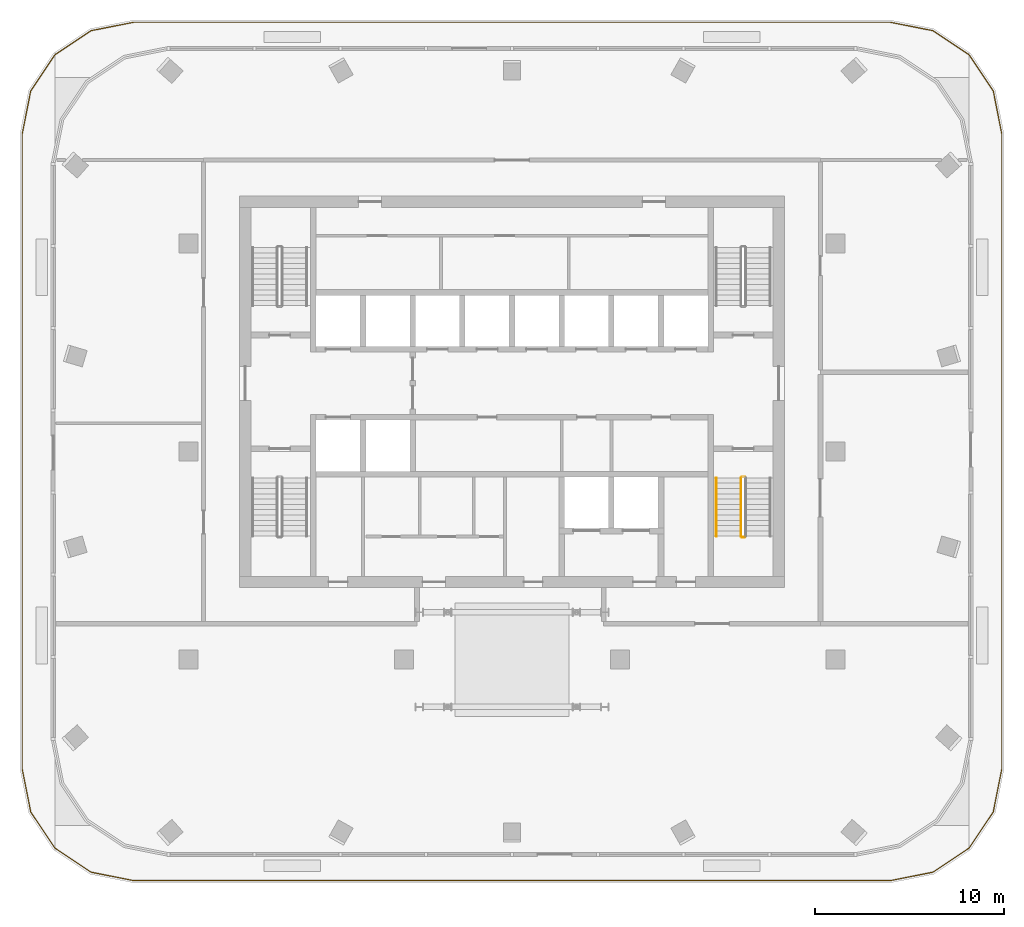
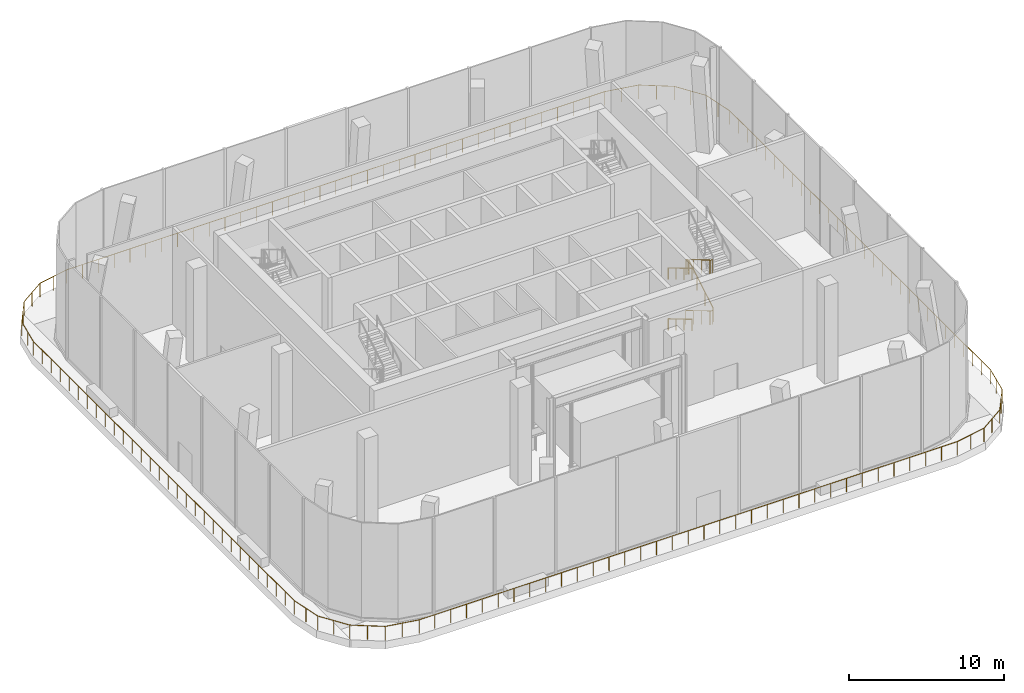
# One storey, part 11 of 13: 6 railings.
"""IFC4 building model written with IfcOpenShell, lengths in metres."""

from ifc_helpers import new_model, si_unit, direction, frame, origin, origin_2d, place, context, subcontext, project, spatial, circle, extrude, material, type_object, element, save


model = new_model("IFC4")

# Units and contexts
model_context = context("Model", 3, precision=1e-05, world=origin(), true_north=direction((0.0, 1.0)))
body_context = subcontext(model_context, "Body", "Model", "MODEL_VIEW")
ifc_project = project(units=[si_unit("LENGTHUNIT", "METRE"), si_unit("AREAUNIT", "SQUARE_METRE"), si_unit("VOLUMEUNIT", "CUBIC_METRE"), si_unit("PLANEANGLEUNIT", "RADIAN"), si_unit("MASSUNIT", "GRAM", prefix="KILO")], contexts=[model_context])

# Site, building, storey
site_placement = place(None, origin())
site = spatial("IfcSite", under=ifc_project, at=site_placement, CompositionType="ELEMENT")
building_placement = place(site_placement, origin())
building = spatial("IfcBuilding", under=site, at=building_placement, Name="Mopane Tessera Tower", CompositionType="ELEMENT")
storey_placement = place(building_placement, frame((0.0, 0.0, 337.39990234375)))
storey = spatial("IfcBuildingStorey", under=building, at=storey_placement, Name="L74", CompositionType="ELEMENT", Elevation=337.39990234375)

# Railings
ifc_material_1 = material(Name="Powder-coated steel balustrade", Category="steel")
railing_type_1 = type_object("IfcRailingType", Name="Escape stair guard 1100 mm", PredefinedType="GUARDRAIL", material=ifc_material_1)
railing_1_placement = place(storey_placement, frame((12.10009765625, -1.39990234375, 0.166748046875)))
element("IfcRailing", 1, at=railing_1_placement, inside=storey, type_object=railing_type_1, Name="L74 ST3 stair guard 1", PredefinedType="GUARDRAIL", context=body_context, shape_type="SweptSolid", body=[
    extrude(circle(Radius=0.02392578125, at=origin_2d()), frame((0.0, 0.0, 1.076171875), z_axis=(0.0, -0.859308565015, 0.511457515432), x_axis=(1.0, 0.0, 0.0)), (0.0, 0.0, 1.0), 3.58447265625),
    extrude(circle(Radius=0.02392578125, at=origin_2d()), frame((0.0, -3.080078125, 2.9091796875), z_axis=(0.705375805398, -0.708833529934, 0.0), x_axis=(0.708833529934, 0.705375805398, 0.0)), (0.0, 0.0, 1.0), 0.070556640625),
    extrude(circle(Radius=0.02392578125, at=origin_2d()), frame((0.0498046875, -3.130126953125, 2.9091796875), z_axis=(1.0, 0.0, 0.0), x_axis=(0.0, 1.0, 0.0)), (0.0, 0.0, 1.0), 0.150146484375),
    extrude(circle(Radius=0.02099609375, at=origin_2d()), origin(), (0.0, 0.0, 1.0), 1.052001953125),
    extrude(circle(Radius=0.02099609375, at=origin_2d()), frame((0.0, -1.026611328125, 0.611083984375)), (0.0, 0.0, 1.0), 1.052001953125),
    extrude(circle(Radius=0.02099609375, at=origin_2d()), frame((0.0, -2.053466796875, 1.22216796875)), (0.0, 0.0, 1.0), 1.052001953125),
    extrude(circle(Radius=0.02099609375, at=origin_2d()), frame((0.0, -3.080078125, 1.833251953125)), (0.0, 0.0, 1.0), 1.052001953125),
    extrude(circle(Radius=0.02099609375, at=origin_2d()), frame((0.0498046875, -3.130126953125, 1.833251953125)), (0.0, 0.0, 1.0), 1.052001953125),
    extrude(circle(Radius=0.02099609375, at=origin_2d()), frame((0.199951171875, -3.130126953125, 1.833251953125)), (0.0, 0.0, 1.0), 1.052001953125),
])
railing_2_placement = place(storey_placement, frame((12.35009765625, -4.47998046875, 2.166748046875)))
element("IfcRailing", 2, at=railing_2_placement, inside=storey, type_object=railing_type_1, Name="L74 ST3 stair guard 2", PredefinedType="GUARDRAIL", context=body_context, shape_type="SweptSolid", body=[
    extrude(circle(Radius=0.02392578125, at=origin_2d()), frame((0.0, 0.0, 1.076171875), z_axis=(0.0, 0.859308565015, 0.511457515432), x_axis=(-1.0, 0.0, 0.0)), (0.0, 0.0, 1.0), 3.58447265625),
    extrude(circle(Radius=0.02392578125, at=origin_2d()), frame((0.0, 3.080078125, 2.9091796875), z_axis=(-0.708833529934, 0.705375805398, 0.0), x_axis=(-0.705375805398, -0.708833529934, 0.0)), (0.0, 0.0, 1.0), 0.070556640625),
    extrude(circle(Radius=0.02392578125, at=origin_2d()), frame((-0.050048828125, 3.1298828125, 2.9091796875), z_axis=(-1.0, 0.0, 0.0), x_axis=(0.0, -1.0, 0.0)), (0.0, 0.0, 1.0), 0.150146484375),
    extrude(circle(Radius=0.02099609375, at=origin_2d()), origin(), (0.0, 0.0, 1.0), 1.052001953125),
    extrude(circle(Radius=0.02099609375, at=origin_2d()), frame((0.0, 1.026611328125, 0.611083984375)), (0.0, 0.0, 1.0), 1.052001953125),
    extrude(circle(Radius=0.02099609375, at=origin_2d()), frame((0.0, 2.053466796875, 1.22216796875)), (0.0, 0.0, 1.0), 1.052001953125),
    extrude(circle(Radius=0.02099609375, at=origin_2d()), frame((0.0, 3.080078125, 1.833251953125)), (0.0, 0.0, 1.0), 1.052001953125),
    extrude(circle(Radius=0.02099609375, at=origin_2d()), frame((-0.050048828125, 3.1298828125, 1.833251953125)), (0.0, 0.0, 1.0), 1.052001953125),
    extrude(circle(Radius=0.02099609375, at=origin_2d()), frame((-0.2001953125, 3.1298828125, 1.833251953125)), (0.0, 0.0, 1.0), 1.052001953125),
])
railing_3_placement = place(storey_placement, frame((12.10009765625, -1.39990234375, 4.166748046875)))
element("IfcRailing", 3, at=railing_3_placement, inside=storey, type_object=railing_type_1, Name="L74 ST3 stair guard 3", PredefinedType="GUARDRAIL", context=body_context, shape_type="SweptSolid", body=[
    extrude(circle(Radius=0.02392578125, at=origin_2d()), frame((0.0, 0.0, 1.076171875), z_axis=(0.0, -0.859308565015, 0.511457515432), x_axis=(1.0, 0.0, 0.0)), (0.0, 0.0, 1.0), 3.58447265625),
    extrude(circle(Radius=0.02392578125, at=origin_2d()), frame((0.0, -3.080078125, 2.9091796875), z_axis=(0.705375805398, -0.708833529934, 0.0), x_axis=(0.708833529934, 0.705375805398, 0.0)), (0.0, 0.0, 1.0), 0.070556640625),
    extrude(circle(Radius=0.02392578125, at=origin_2d()), frame((0.0498046875, -3.130126953125, 2.9091796875), z_axis=(1.0, 0.0, 0.0), x_axis=(0.0, 1.0, 0.0)), (0.0, 0.0, 1.0), 0.150146484375),
    extrude(circle(Radius=0.02099609375, at=origin_2d()), origin(), (0.0, 0.0, 1.0), 1.052001953125),
    extrude(circle(Radius=0.02099609375, at=origin_2d()), frame((0.0, -1.026611328125, 0.611083984375)), (0.0, 0.0, 1.0), 1.052001953125),
    extrude(circle(Radius=0.02099609375, at=origin_2d()), frame((0.0, -2.053466796875, 1.22216796875)), (0.0, 0.0, 1.0), 1.052001953125),
    extrude(circle(Radius=0.02099609375, at=origin_2d()), frame((0.0, -3.080078125, 1.833251953125)), (0.0, 0.0, 1.0), 1.052001953125),
    extrude(circle(Radius=0.02099609375, at=origin_2d()), frame((0.0498046875, -3.130126953125, 1.833251953125)), (0.0, 0.0, 1.0), 1.052001953125),
    extrude(circle(Radius=0.02099609375, at=origin_2d()), frame((0.199951171875, -3.130126953125, 1.833251953125)), (0.0, 0.0, 1.0), 1.052001953125),
])
ifc_material_2 = material(Name="Powder-coated steel balustrade", Category="steel")
railing_type_2 = type_object("IfcRailingType", Name="Escape stair handrail 900 mm", PredefinedType="HANDRAIL", material=ifc_material_2)
for number, where, name in (
    (4, (10.800048828125, -1.39990234375, 0.166748046875), "L74 ST3 stair handrail 1"),
    (5, (10.800048828125, -1.39990234375, 4.166748046875), "L74 ST3 stair handrail 3"),
):
    element("IfcRailing", number, at=place(storey_placement, frame(where)), inside=storey, type_object=railing_type_2, Name=name, PredefinedType="HANDRAIL", context=body_context, shape_type="SweptSolid", body=[
        extrude(circle(Radius=0.02392578125, at=origin_2d()), frame((0.0, 0.0, 0.8759765625), z_axis=(0.0, -0.859308565015, 0.511457515432), x_axis=(1.0, 0.0, 0.0)), (0.0, 0.0, 1.0), 3.58447265625),
        extrude(circle(Radius=0.02099609375, at=origin_2d()), origin(), (0.0, 0.0, 1.0), 0.851806640625),
        extrude(circle(Radius=0.02099609375, at=origin_2d()), frame((0.0, -1.026611328125, 0.611083984375)), (0.0, 0.0, 1.0), 0.851806640625),
        extrude(circle(Radius=0.02099609375, at=origin_2d()), frame((0.0, -2.053466796875, 1.22216796875)), (0.0, 0.0, 1.0), 0.851806640625),
        extrude(circle(Radius=0.02099609375, at=origin_2d()), frame((0.0, -3.080078125, 1.833251953125)), (0.0, 0.0, 1.0), 0.851806640625),
    ])
ifc_material_3 = material(Name="Stainless steel S316", Category="steel")
railing_type_3 = type_object("IfcRailingType", Name="Terrace guard 1100", PredefinedType="GUARDRAIL", material=ifc_material_3)
railing_4_placement = place(storey_placement, frame((-20.0, -22.679931640625, 0.0)))
element("IfcRailing", 6, at=railing_4_placement, inside=storey, type_object=railing_type_3, Name="e:sg:L74", PredefinedType="GUARDRAIL", context=body_context, shape_type="SweptSolid", body=[
    extrude(circle(Radius=0.02392578125, at=origin_2d()), frame((0.0, 0.0, 1.076171875), z_axis=(1.0, 0.0, 0.0), x_axis=(0.0, 1.0, 0.0)), (0.0, 0.0, 1.0), 40.0),
    extrude(circle(Radius=0.02392578125, at=origin_2d()), frame((40.0, 0.0, 1.076171875), z_axis=(0.980792920903, 0.195051906696, 0.0), x_axis=(-0.195051906696, 0.980792920903, 0.0)), (0.0, 0.0, 1.0), 2.294189453125),
    extrude(circle(Radius=0.02392578125, at=origin_2d()), frame((42.250244140625, 0.447509765625, 1.076171875), z_axis=(0.831444034045, 0.555608511679, 0.0), x_axis=(-0.555608511679, 0.831444034045, 0.0)), (0.0, 0.0, 1.0), 2.294189453125),
    extrude(circle(Radius=0.02392578125, at=origin_2d()), frame((44.15771484375, 1.72216796875, 1.076171875), z_axis=(0.555608511679, 0.831444034045, 0.0), x_axis=(-0.831444034045, 0.555608511679, 0.0)), (0.0, 0.0, 1.0), 2.294189453125),
    extrude(circle(Radius=0.02392578125, at=origin_2d()), frame((45.432373046875, 3.629638671875, 1.076171875), z_axis=(0.195051906696, 0.980792920903, 0.0), x_axis=(-0.980792920903, 0.195051906696, 0.0)), (0.0, 0.0, 1.0), 2.294189453125),
    extrude(circle(Radius=0.02392578125, at=origin_2d()), frame((45.8798828125, 5.8798828125, 1.076171875), z_axis=(0.0, 1.0, 0.0), x_axis=(-1.0, 0.0, 0.0)), (0.0, 0.0, 1.0), 33.60009765625),
    extrude(circle(Radius=0.02392578125, at=origin_2d()), frame((45.8798828125, 39.47998046875, 1.076171875), z_axis=(-0.195051906696, 0.980792920903, 0.0), x_axis=(-0.980792920903, -0.195051906696, 0.0)), (0.0, 0.0, 1.0), 2.294189453125),
    extrude(circle(Radius=0.02392578125, at=origin_2d()), frame((45.432373046875, 41.730224609375, 1.076171875), z_axis=(-0.555608511679, 0.831444034045, 0.0), x_axis=(-0.831444034045, -0.555608511679, 0.0)), (0.0, 0.0, 1.0), 2.294189453125),
    extrude(circle(Radius=0.02392578125, at=origin_2d()), frame((44.15771484375, 43.6376953125, 1.076171875), z_axis=(-0.831444034045, 0.555608511679, 0.0), x_axis=(-0.555608511679, -0.831444034045, 0.0)), (0.0, 0.0, 1.0), 2.294189453125),
    extrude(circle(Radius=0.02392578125, at=origin_2d()), frame((42.250244140625, 44.912353515625, 1.076171875), z_axis=(-0.980792920903, 0.195051906696, 0.0), x_axis=(-0.195051906696, -0.980792920903, 0.0)), (0.0, 0.0, 1.0), 2.294189453125),
    extrude(circle(Radius=0.02392578125, at=origin_2d()), frame((40.0, 45.35986328125, 1.076171875), z_axis=(-1.0, 0.0, 0.0), x_axis=(0.0, -1.0, 0.0)), (0.0, 0.0, 1.0), 40.0),
    extrude(circle(Radius=0.02392578125, at=origin_2d()), frame((0.0, 45.35986328125, 1.076171875), z_axis=(-0.980792920903, -0.195051906696, 0.0), x_axis=(0.195051906696, -0.980792920903, 0.0)), (0.0, 0.0, 1.0), 2.294189453125),
    extrude(circle(Radius=0.02392578125, at=origin_2d()), frame((-2.250244140625, 44.912353515625, 1.076171875), z_axis=(-0.831444034045, -0.555608511679, 0.0), x_axis=(0.555608511679, -0.831444034045, 0.0)), (0.0, 0.0, 1.0), 2.294189453125),
    extrude(circle(Radius=0.02392578125, at=origin_2d()), frame((-4.15771484375, 43.6376953125, 1.076171875), z_axis=(-0.555608511679, -0.831444034045, 0.0), x_axis=(0.831444034045, -0.555608511679, 0.0)), (0.0, 0.0, 1.0), 2.294189453125),
    extrude(circle(Radius=0.02392578125, at=origin_2d()), frame((-5.432373046875, 41.730224609375, 1.076171875), z_axis=(-0.195051906696, -0.980792920903, 0.0), x_axis=(0.980792920903, -0.195051906696, 0.0)), (0.0, 0.0, 1.0), 2.294189453125),
    extrude(circle(Radius=0.02392578125, at=origin_2d()), frame((-5.8798828125, 39.47998046875, 1.076171875), z_axis=(0.0, -1.0, 0.0), x_axis=(1.0, 0.0, 0.0)), (0.0, 0.0, 1.0), 33.60009765625),
    extrude(circle(Radius=0.02392578125, at=origin_2d()), frame((-5.8798828125, 5.8798828125, 1.076171875), z_axis=(0.195051906696, -0.980792920903, 0.0), x_axis=(0.980792920903, 0.195051906696, 0.0)), (0.0, 0.0, 1.0), 2.294189453125),
    extrude(circle(Radius=0.02392578125, at=origin_2d()), frame((-5.432373046875, 3.629638671875, 1.076171875), z_axis=(0.555608511679, -0.831444034045, 0.0), x_axis=(0.831444034045, 0.555608511679, 0.0)), (0.0, 0.0, 1.0), 2.294189453125),
    extrude(circle(Radius=0.02392578125, at=origin_2d()), frame((-4.15771484375, 1.72216796875, 1.076171875), z_axis=(0.831444034045, -0.555608511679, 0.0), x_axis=(0.555608511679, 0.831444034045, 0.0)), (0.0, 0.0, 1.0), 2.294189453125),
    extrude(circle(Radius=0.02392578125, at=origin_2d()), frame((-2.250244140625, 0.447509765625, 1.076171875), z_axis=(0.980792920903, -0.195051906696, 0.0), x_axis=(0.195051906696, 0.980792920903, 0.0)), (0.0, 0.0, 1.0), 2.294189453125),
    extrude(circle(Radius=0.02099609375, at=origin_2d()), origin(), (0.0, 0.0, 1.0), 1.052001953125),
    extrude(circle(Radius=0.02099609375, at=origin_2d()), frame((1.176513671875, 0.0, 0.0)), (0.0, 0.0, 1.0), 1.052001953125),
    extrude(circle(Radius=0.02099609375, at=origin_2d()), frame((2.35302734375, 0.0, 0.0)), (0.0, 0.0, 1.0), 1.052001953125),
    extrude(circle(Radius=0.02099609375, at=origin_2d()), frame((3.529296875, 0.0, 0.0)), (0.0, 0.0, 1.0), 1.052001953125),
    extrude(circle(Radius=0.02099609375, at=origin_2d()), frame((4.705810546875, 0.0, 0.0)), (0.0, 0.0, 1.0), 1.052001953125),
    extrude(circle(Radius=0.02099609375, at=origin_2d()), frame((5.88232421875, 0.0, 0.0)), (0.0, 0.0, 1.0), 1.052001953125),
    extrude(circle(Radius=0.02099609375, at=origin_2d()), frame((7.058837890625, 0.0, 0.0)), (0.0, 0.0, 1.0), 1.052001953125),
    extrude(circle(Radius=0.02099609375, at=origin_2d()), frame((8.2353515625, 0.0, 0.0)), (0.0, 0.0, 1.0), 1.052001953125),
    extrude(circle(Radius=0.02099609375, at=origin_2d()), frame((9.411865234375, 0.0, 0.0)), (0.0, 0.0, 1.0), 1.052001953125),
    extrude(circle(Radius=0.02099609375, at=origin_2d()), frame((10.588134765625, 0.0, 0.0)), (0.0, 0.0, 1.0), 1.052001953125),
    extrude(circle(Radius=0.02099609375, at=origin_2d()), frame((11.7646484375, 0.0, 0.0)), (0.0, 0.0, 1.0), 1.052001953125),
    extrude(circle(Radius=0.02099609375, at=origin_2d()), frame((12.941162109375, 0.0, 0.0)), (0.0, 0.0, 1.0), 1.052001953125),
    extrude(circle(Radius=0.02099609375, at=origin_2d()), frame((14.11767578125, 0.0, 0.0)), (0.0, 0.0, 1.0), 1.052001953125),
    extrude(circle(Radius=0.02099609375, at=origin_2d()), frame((15.294189453125, 0.0, 0.0)), (0.0, 0.0, 1.0), 1.052001953125),
    extrude(circle(Radius=0.02099609375, at=origin_2d()), frame((16.470703125, 0.0, 0.0)), (0.0, 0.0, 1.0), 1.052001953125),
    extrude(circle(Radius=0.02099609375, at=origin_2d()), frame((17.64697265625, 0.0, 0.0)), (0.0, 0.0, 1.0), 1.052001953125),
    extrude(circle(Radius=0.02099609375, at=origin_2d()), frame((18.823486328125, 0.0, 0.0)), (0.0, 0.0, 1.0), 1.052001953125),
    extrude(circle(Radius=0.02099609375, at=origin_2d()), frame((20.0, 0.0, 0.0)), (0.0, 0.0, 1.0), 1.052001953125),
    extrude(circle(Radius=0.02099609375, at=origin_2d()), frame((21.176513671875, 0.0, 0.0)), (0.0, 0.0, 1.0), 1.052001953125),
    extrude(circle(Radius=0.02099609375, at=origin_2d()), frame((22.35302734375, 0.0, 0.0)), (0.0, 0.0, 1.0), 1.052001953125),
    extrude(circle(Radius=0.02099609375, at=origin_2d()), frame((23.529296875, 0.0, 0.0)), (0.0, 0.0, 1.0), 1.052001953125),
    extrude(circle(Radius=0.02099609375, at=origin_2d()), frame((24.705810546875, 0.0, 0.0)), (0.0, 0.0, 1.0), 1.052001953125),
    extrude(circle(Radius=0.02099609375, at=origin_2d()), frame((25.88232421875, 0.0, 0.0)), (0.0, 0.0, 1.0), 1.052001953125),
    extrude(circle(Radius=0.02099609375, at=origin_2d()), frame((27.058837890625, 0.0, 0.0)), (0.0, 0.0, 1.0), 1.052001953125),
    extrude(circle(Radius=0.02099609375, at=origin_2d()), frame((28.2353515625, 0.0, 0.0)), (0.0, 0.0, 1.0), 1.052001953125),
    extrude(circle(Radius=0.02099609375, at=origin_2d()), frame((29.411865234375, 0.0, 0.0)), (0.0, 0.0, 1.0), 1.052001953125),
    extrude(circle(Radius=0.02099609375, at=origin_2d()), frame((30.588134765625, 0.0, 0.0)), (0.0, 0.0, 1.0), 1.052001953125),
    extrude(circle(Radius=0.02099609375, at=origin_2d()), frame((31.7646484375, 0.0, 0.0)), (0.0, 0.0, 1.0), 1.052001953125),
    extrude(circle(Radius=0.02099609375, at=origin_2d()), frame((32.941162109375, 0.0, 0.0)), (0.0, 0.0, 1.0), 1.052001953125),
    extrude(circle(Radius=0.02099609375, at=origin_2d()), frame((34.11767578125, 0.0, 0.0)), (0.0, 0.0, 1.0), 1.052001953125),
    extrude(circle(Radius=0.02099609375, at=origin_2d()), frame((35.294189453125, 0.0, 0.0)), (0.0, 0.0, 1.0), 1.052001953125),
    extrude(circle(Radius=0.02099609375, at=origin_2d()), frame((36.470703125, 0.0, 0.0)), (0.0, 0.0, 1.0), 1.052001953125),
    extrude(circle(Radius=0.02099609375, at=origin_2d()), frame((37.64697265625, 0.0, 0.0)), (0.0, 0.0, 1.0), 1.052001953125),
    extrude(circle(Radius=0.02099609375, at=origin_2d()), frame((38.823486328125, 0.0, 0.0)), (0.0, 0.0, 1.0), 1.052001953125),
    extrude(circle(Radius=0.02099609375, at=origin_2d()), frame((40.0, 0.0, 0.0)), (0.0, 0.0, 1.0), 1.052001953125),
    extrude(circle(Radius=0.02099609375, at=origin_2d()), frame((41.125, 0.2236328125, 0.0)), (0.0, 0.0, 1.0), 1.052001953125),
    extrude(circle(Radius=0.02099609375, at=origin_2d()), frame((42.250244140625, 0.447509765625, 0.0)), (0.0, 0.0, 1.0), 1.052001953125),
    extrude(circle(Radius=0.02099609375, at=origin_2d()), frame((43.2041015625, 1.0849609375, 0.0)), (0.0, 0.0, 1.0), 1.052001953125),
    extrude(circle(Radius=0.02099609375, at=origin_2d()), frame((44.15771484375, 1.72216796875, 0.0)), (0.0, 0.0, 1.0), 1.052001953125),
    extrude(circle(Radius=0.02099609375, at=origin_2d()), frame((44.794921875, 2.67578125, 0.0)), (0.0, 0.0, 1.0), 1.052001953125),
    extrude(circle(Radius=0.02099609375, at=origin_2d()), frame((45.432373046875, 3.629638671875, 0.0)), (0.0, 0.0, 1.0), 1.052001953125),
    extrude(circle(Radius=0.02099609375, at=origin_2d()), frame((45.65625, 4.7548828125, 0.0)), (0.0, 0.0, 1.0), 1.052001953125),
    extrude(circle(Radius=0.02099609375, at=origin_2d()), frame((45.8798828125, 5.8798828125, 0.0)), (0.0, 0.0, 1.0), 1.052001953125),
    extrude(circle(Radius=0.02099609375, at=origin_2d()), frame((45.8798828125, 7.03857421875, 0.0)), (0.0, 0.0, 1.0), 1.052001953125),
    extrude(circle(Radius=0.02099609375, at=origin_2d()), frame((45.8798828125, 8.197021484375, 0.0)), (0.0, 0.0, 1.0), 1.052001953125),
    extrude(circle(Radius=0.02099609375, at=origin_2d()), frame((45.8798828125, 9.355712890625, 0.0)), (0.0, 0.0, 1.0), 1.052001953125),
    extrude(circle(Radius=0.02099609375, at=origin_2d()), frame((45.8798828125, 10.514404296875, 0.0)), (0.0, 0.0, 1.0), 1.052001953125),
    extrude(circle(Radius=0.02099609375, at=origin_2d()), frame((45.8798828125, 11.673095703125, 0.0)), (0.0, 0.0, 1.0), 1.052001953125),
    extrude(circle(Radius=0.02099609375, at=origin_2d()), frame((45.8798828125, 12.83154296875, 0.0)), (0.0, 0.0, 1.0), 1.052001953125),
    extrude(circle(Radius=0.02099609375, at=origin_2d()), frame((45.8798828125, 13.990234375, 0.0)), (0.0, 0.0, 1.0), 1.052001953125),
    extrude(circle(Radius=0.02099609375, at=origin_2d()), frame((45.8798828125, 15.14892578125, 0.0)), (0.0, 0.0, 1.0), 1.052001953125),
    extrude(circle(Radius=0.02099609375, at=origin_2d()), frame((45.8798828125, 16.3076171875, 0.0)), (0.0, 0.0, 1.0), 1.052001953125),
    extrude(circle(Radius=0.02099609375, at=origin_2d()), frame((45.8798828125, 17.466064453125, 0.0)), (0.0, 0.0, 1.0), 1.052001953125),
    extrude(circle(Radius=0.02099609375, at=origin_2d()), frame((45.8798828125, 18.624755859375, 0.0)), (0.0, 0.0, 1.0), 1.052001953125),
    extrude(circle(Radius=0.02099609375, at=origin_2d()), frame((45.8798828125, 19.783447265625, 0.0)), (0.0, 0.0, 1.0), 1.052001953125),
    extrude(circle(Radius=0.02099609375, at=origin_2d()), frame((45.8798828125, 20.94189453125, 0.0)), (0.0, 0.0, 1.0), 1.052001953125),
    extrude(circle(Radius=0.02099609375, at=origin_2d()), frame((45.8798828125, 22.1005859375, 0.0)), (0.0, 0.0, 1.0), 1.052001953125),
    extrude(circle(Radius=0.02099609375, at=origin_2d()), frame((45.8798828125, 23.25927734375, 0.0)), (0.0, 0.0, 1.0), 1.052001953125),
    extrude(circle(Radius=0.02099609375, at=origin_2d()), frame((45.8798828125, 24.41796875, 0.0)), (0.0, 0.0, 1.0), 1.052001953125),
    extrude(circle(Radius=0.02099609375, at=origin_2d()), frame((45.8798828125, 25.576416015625, 0.0)), (0.0, 0.0, 1.0), 1.052001953125),
    extrude(circle(Radius=0.02099609375, at=origin_2d()), frame((45.8798828125, 26.735107421875, 0.0)), (0.0, 0.0, 1.0), 1.052001953125),
    extrude(circle(Radius=0.02099609375, at=origin_2d()), frame((45.8798828125, 27.893798828125, 0.0)), (0.0, 0.0, 1.0), 1.052001953125),
    extrude(circle(Radius=0.02099609375, at=origin_2d()), frame((45.8798828125, 29.05224609375, 0.0)), (0.0, 0.0, 1.0), 1.052001953125),
    extrude(circle(Radius=0.02099609375, at=origin_2d()), frame((45.8798828125, 30.2109375, 0.0)), (0.0, 0.0, 1.0), 1.052001953125),
    extrude(circle(Radius=0.02099609375, at=origin_2d()), frame((45.8798828125, 31.36962890625, 0.0)), (0.0, 0.0, 1.0), 1.052001953125),
    extrude(circle(Radius=0.02099609375, at=origin_2d()), frame((45.8798828125, 32.5283203125, 0.0)), (0.0, 0.0, 1.0), 1.052001953125),
    extrude(circle(Radius=0.02099609375, at=origin_2d()), frame((45.8798828125, 33.686767578125, 0.0)), (0.0, 0.0, 1.0), 1.052001953125),
    extrude(circle(Radius=0.02099609375, at=origin_2d()), frame((45.8798828125, 34.845458984375, 0.0)), (0.0, 0.0, 1.0), 1.052001953125),
    extrude(circle(Radius=0.02099609375, at=origin_2d()), frame((45.8798828125, 36.004150390625, 0.0)), (0.0, 0.0, 1.0), 1.052001953125),
    extrude(circle(Radius=0.02099609375, at=origin_2d()), frame((45.8798828125, 37.162841796875, 0.0)), (0.0, 0.0, 1.0), 1.052001953125),
    extrude(circle(Radius=0.02099609375, at=origin_2d()), frame((45.8798828125, 38.3212890625, 0.0)), (0.0, 0.0, 1.0), 1.052001953125),
    extrude(circle(Radius=0.02099609375, at=origin_2d()), frame((45.8798828125, 39.47998046875, 0.0)), (0.0, 0.0, 1.0), 1.052001953125),
    extrude(circle(Radius=0.02099609375, at=origin_2d()), frame((45.65625, 40.60498046875, 0.0)), (0.0, 0.0, 1.0), 1.052001953125),
    extrude(circle(Radius=0.02099609375, at=origin_2d()), frame((45.432373046875, 41.730224609375, 0.0)), (0.0, 0.0, 1.0), 1.052001953125),
    extrude(circle(Radius=0.02099609375, at=origin_2d()), frame((44.794921875, 42.68408203125, 0.0)), (0.0, 0.0, 1.0), 1.052001953125),
    extrude(circle(Radius=0.02099609375, at=origin_2d()), frame((44.15771484375, 43.6376953125, 0.0)), (0.0, 0.0, 1.0), 1.052001953125),
    extrude(circle(Radius=0.02099609375, at=origin_2d()), frame((43.2041015625, 44.27490234375, 0.0)), (0.0, 0.0, 1.0), 1.052001953125),
    extrude(circle(Radius=0.02099609375, at=origin_2d()), frame((42.250244140625, 44.912353515625, 0.0)), (0.0, 0.0, 1.0), 1.052001953125),
    extrude(circle(Radius=0.02099609375, at=origin_2d()), frame((41.125, 45.13623046875, 0.0)), (0.0, 0.0, 1.0), 1.052001953125),
    extrude(circle(Radius=0.02099609375, at=origin_2d()), frame((40.0, 45.35986328125, 0.0)), (0.0, 0.0, 1.0), 1.052001953125),
    extrude(circle(Radius=0.02099609375, at=origin_2d()), frame((38.823486328125, 45.35986328125, 0.0)), (0.0, 0.0, 1.0), 1.052001953125),
    extrude(circle(Radius=0.02099609375, at=origin_2d()), frame((37.64697265625, 45.35986328125, 0.0)), (0.0, 0.0, 1.0), 1.052001953125),
    extrude(circle(Radius=0.02099609375, at=origin_2d()), frame((36.470703125, 45.35986328125, 0.0)), (0.0, 0.0, 1.0), 1.052001953125),
    extrude(circle(Radius=0.02099609375, at=origin_2d()), frame((35.294189453125, 45.35986328125, 0.0)), (0.0, 0.0, 1.0), 1.052001953125),
    extrude(circle(Radius=0.02099609375, at=origin_2d()), frame((34.11767578125, 45.35986328125, 0.0)), (0.0, 0.0, 1.0), 1.052001953125),
    extrude(circle(Radius=0.02099609375, at=origin_2d()), frame((32.941162109375, 45.35986328125, 0.0)), (0.0, 0.0, 1.0), 1.052001953125),
    extrude(circle(Radius=0.02099609375, at=origin_2d()), frame((31.7646484375, 45.35986328125, 0.0)), (0.0, 0.0, 1.0), 1.052001953125),
    extrude(circle(Radius=0.02099609375, at=origin_2d()), frame((30.588134765625, 45.35986328125, 0.0)), (0.0, 0.0, 1.0), 1.052001953125),
    extrude(circle(Radius=0.02099609375, at=origin_2d()), frame((29.411865234375, 45.35986328125, 0.0)), (0.0, 0.0, 1.0), 1.052001953125),
    extrude(circle(Radius=0.02099609375, at=origin_2d()), frame((28.2353515625, 45.35986328125, 0.0)), (0.0, 0.0, 1.0), 1.052001953125),
    extrude(circle(Radius=0.02099609375, at=origin_2d()), frame((27.058837890625, 45.35986328125, 0.0)), (0.0, 0.0, 1.0), 1.052001953125),
    extrude(circle(Radius=0.02099609375, at=origin_2d()), frame((25.88232421875, 45.35986328125, 0.0)), (0.0, 0.0, 1.0), 1.052001953125),
    extrude(circle(Radius=0.02099609375, at=origin_2d()), frame((24.705810546875, 45.35986328125, 0.0)), (0.0, 0.0, 1.0), 1.052001953125),
    extrude(circle(Radius=0.02099609375, at=origin_2d()), frame((23.529296875, 45.35986328125, 0.0)), (0.0, 0.0, 1.0), 1.052001953125),
    extrude(circle(Radius=0.02099609375, at=origin_2d()), frame((22.35302734375, 45.35986328125, 0.0)), (0.0, 0.0, 1.0), 1.052001953125),
    extrude(circle(Radius=0.02099609375, at=origin_2d()), frame((21.176513671875, 45.35986328125, 0.0)), (0.0, 0.0, 1.0), 1.052001953125),
    extrude(circle(Radius=0.02099609375, at=origin_2d()), frame((20.0, 45.35986328125, 0.0)), (0.0, 0.0, 1.0), 1.052001953125),
    extrude(circle(Radius=0.02099609375, at=origin_2d()), frame((18.823486328125, 45.35986328125, 0.0)), (0.0, 0.0, 1.0), 1.052001953125),
    extrude(circle(Radius=0.02099609375, at=origin_2d()), frame((17.64697265625, 45.35986328125, 0.0)), (0.0, 0.0, 1.0), 1.052001953125),
    extrude(circle(Radius=0.02099609375, at=origin_2d()), frame((16.470703125, 45.35986328125, 0.0)), (0.0, 0.0, 1.0), 1.052001953125),
    extrude(circle(Radius=0.02099609375, at=origin_2d()), frame((15.294189453125, 45.35986328125, 0.0)), (0.0, 0.0, 1.0), 1.052001953125),
    extrude(circle(Radius=0.02099609375, at=origin_2d()), frame((14.11767578125, 45.35986328125, 0.0)), (0.0, 0.0, 1.0), 1.052001953125),
    extrude(circle(Radius=0.02099609375, at=origin_2d()), frame((12.941162109375, 45.35986328125, 0.0)), (0.0, 0.0, 1.0), 1.052001953125),
    extrude(circle(Radius=0.02099609375, at=origin_2d()), frame((11.7646484375, 45.35986328125, 0.0)), (0.0, 0.0, 1.0), 1.052001953125),
    extrude(circle(Radius=0.02099609375, at=origin_2d()), frame((10.588134765625, 45.35986328125, 0.0)), (0.0, 0.0, 1.0), 1.052001953125),
    extrude(circle(Radius=0.02099609375, at=origin_2d()), frame((9.411865234375, 45.35986328125, 0.0)), (0.0, 0.0, 1.0), 1.052001953125),
    extrude(circle(Radius=0.02099609375, at=origin_2d()), frame((8.2353515625, 45.35986328125, 0.0)), (0.0, 0.0, 1.0), 1.052001953125),
    extrude(circle(Radius=0.02099609375, at=origin_2d()), frame((7.058837890625, 45.35986328125, 0.0)), (0.0, 0.0, 1.0), 1.052001953125),
    extrude(circle(Radius=0.02099609375, at=origin_2d()), frame((5.88232421875, 45.35986328125, 0.0)), (0.0, 0.0, 1.0), 1.052001953125),
    extrude(circle(Radius=0.02099609375, at=origin_2d()), frame((4.705810546875, 45.35986328125, 0.0)), (0.0, 0.0, 1.0), 1.052001953125),
    extrude(circle(Radius=0.02099609375, at=origin_2d()), frame((3.529296875, 45.35986328125, 0.0)), (0.0, 0.0, 1.0), 1.052001953125),
    extrude(circle(Radius=0.02099609375, at=origin_2d()), frame((2.35302734375, 45.35986328125, 0.0)), (0.0, 0.0, 1.0), 1.052001953125),
    extrude(circle(Radius=0.02099609375, at=origin_2d()), frame((1.176513671875, 45.35986328125, 0.0)), (0.0, 0.0, 1.0), 1.052001953125),
    extrude(circle(Radius=0.02099609375, at=origin_2d()), frame((0.0, 45.35986328125, 0.0)), (0.0, 0.0, 1.0), 1.052001953125),
    extrude(circle(Radius=0.02099609375, at=origin_2d()), frame((-1.125, 45.13623046875, 0.0)), (0.0, 0.0, 1.0), 1.052001953125),
    extrude(circle(Radius=0.02099609375, at=origin_2d()), frame((-2.250244140625, 44.912353515625, 0.0)), (0.0, 0.0, 1.0), 1.052001953125),
    extrude(circle(Radius=0.02099609375, at=origin_2d()), frame((-3.2041015625, 44.27490234375, 0.0)), (0.0, 0.0, 1.0), 1.052001953125),
    extrude(circle(Radius=0.02099609375, at=origin_2d()), frame((-4.15771484375, 43.6376953125, 0.0)), (0.0, 0.0, 1.0), 1.052001953125),
    extrude(circle(Radius=0.02099609375, at=origin_2d()), frame((-4.794921875, 42.68408203125, 0.0)), (0.0, 0.0, 1.0), 1.052001953125),
    extrude(circle(Radius=0.02099609375, at=origin_2d()), frame((-5.432373046875, 41.730224609375, 0.0)), (0.0, 0.0, 1.0), 1.052001953125),
    extrude(circle(Radius=0.02099609375, at=origin_2d()), frame((-5.65625, 40.60498046875, 0.0)), (0.0, 0.0, 1.0), 1.052001953125),
    extrude(circle(Radius=0.02099609375, at=origin_2d()), frame((-5.8798828125, 39.47998046875, 0.0)), (0.0, 0.0, 1.0), 1.052001953125),
    extrude(circle(Radius=0.02099609375, at=origin_2d()), frame((-5.8798828125, 38.3212890625, 0.0)), (0.0, 0.0, 1.0), 1.052001953125),
    extrude(circle(Radius=0.02099609375, at=origin_2d()), frame((-5.8798828125, 37.162841796875, 0.0)), (0.0, 0.0, 1.0), 1.052001953125),
    extrude(circle(Radius=0.02099609375, at=origin_2d()), frame((-5.8798828125, 36.004150390625, 0.0)), (0.0, 0.0, 1.0), 1.052001953125),
    extrude(circle(Radius=0.02099609375, at=origin_2d()), frame((-5.8798828125, 34.845458984375, 0.0)), (0.0, 0.0, 1.0), 1.052001953125),
    extrude(circle(Radius=0.02099609375, at=origin_2d()), frame((-5.8798828125, 33.686767578125, 0.0)), (0.0, 0.0, 1.0), 1.052001953125),
    extrude(circle(Radius=0.02099609375, at=origin_2d()), frame((-5.8798828125, 32.5283203125, 0.0)), (0.0, 0.0, 1.0), 1.052001953125),
    extrude(circle(Radius=0.02099609375, at=origin_2d()), frame((-5.8798828125, 31.36962890625, 0.0)), (0.0, 0.0, 1.0), 1.052001953125),
    extrude(circle(Radius=0.02099609375, at=origin_2d()), frame((-5.8798828125, 30.2109375, 0.0)), (0.0, 0.0, 1.0), 1.052001953125),
    extrude(circle(Radius=0.02099609375, at=origin_2d()), frame((-5.8798828125, 29.05224609375, 0.0)), (0.0, 0.0, 1.0), 1.052001953125),
    extrude(circle(Radius=0.02099609375, at=origin_2d()), frame((-5.8798828125, 27.893798828125, 0.0)), (0.0, 0.0, 1.0), 1.052001953125),
    extrude(circle(Radius=0.02099609375, at=origin_2d()), frame((-5.8798828125, 26.735107421875, 0.0)), (0.0, 0.0, 1.0), 1.052001953125),
    extrude(circle(Radius=0.02099609375, at=origin_2d()), frame((-5.8798828125, 25.576416015625, 0.0)), (0.0, 0.0, 1.0), 1.052001953125),
    extrude(circle(Radius=0.02099609375, at=origin_2d()), frame((-5.8798828125, 24.41796875, 0.0)), (0.0, 0.0, 1.0), 1.052001953125),
    extrude(circle(Radius=0.02099609375, at=origin_2d()), frame((-5.8798828125, 23.25927734375, 0.0)), (0.0, 0.0, 1.0), 1.052001953125),
    extrude(circle(Radius=0.02099609375, at=origin_2d()), frame((-5.8798828125, 22.1005859375, 0.0)), (0.0, 0.0, 1.0), 1.052001953125),
    extrude(circle(Radius=0.02099609375, at=origin_2d()), frame((-5.8798828125, 20.94189453125, 0.0)), (0.0, 0.0, 1.0), 1.052001953125),
    extrude(circle(Radius=0.02099609375, at=origin_2d()), frame((-5.8798828125, 19.783447265625, 0.0)), (0.0, 0.0, 1.0), 1.052001953125),
    extrude(circle(Radius=0.02099609375, at=origin_2d()), frame((-5.8798828125, 18.624755859375, 0.0)), (0.0, 0.0, 1.0), 1.052001953125),
    extrude(circle(Radius=0.02099609375, at=origin_2d()), frame((-5.8798828125, 17.466064453125, 0.0)), (0.0, 0.0, 1.0), 1.052001953125),
    extrude(circle(Radius=0.02099609375, at=origin_2d()), frame((-5.8798828125, 16.3076171875, 0.0)), (0.0, 0.0, 1.0), 1.052001953125),
    extrude(circle(Radius=0.02099609375, at=origin_2d()), frame((-5.8798828125, 15.14892578125, 0.0)), (0.0, 0.0, 1.0), 1.052001953125),
    extrude(circle(Radius=0.02099609375, at=origin_2d()), frame((-5.8798828125, 13.990234375, 0.0)), (0.0, 0.0, 1.0), 1.052001953125),
    extrude(circle(Radius=0.02099609375, at=origin_2d()), frame((-5.8798828125, 12.83154296875, 0.0)), (0.0, 0.0, 1.0), 1.052001953125),
    extrude(circle(Radius=0.02099609375, at=origin_2d()), frame((-5.8798828125, 11.673095703125, 0.0)), (0.0, 0.0, 1.0), 1.052001953125),
    extrude(circle(Radius=0.02099609375, at=origin_2d()), frame((-5.8798828125, 10.514404296875, 0.0)), (0.0, 0.0, 1.0), 1.052001953125),
    extrude(circle(Radius=0.02099609375, at=origin_2d()), frame((-5.8798828125, 9.355712890625, 0.0)), (0.0, 0.0, 1.0), 1.052001953125),
    extrude(circle(Radius=0.02099609375, at=origin_2d()), frame((-5.8798828125, 8.197021484375, 0.0)), (0.0, 0.0, 1.0), 1.052001953125),
    extrude(circle(Radius=0.02099609375, at=origin_2d()), frame((-5.8798828125, 7.03857421875, 0.0)), (0.0, 0.0, 1.0), 1.052001953125),
    extrude(circle(Radius=0.02099609375, at=origin_2d()), frame((-5.8798828125, 5.8798828125, 0.0)), (0.0, 0.0, 1.0), 1.052001953125),
    extrude(circle(Radius=0.02099609375, at=origin_2d()), frame((-5.65625, 4.7548828125, 0.0)), (0.0, 0.0, 1.0), 1.052001953125),
    extrude(circle(Radius=0.02099609375, at=origin_2d()), frame((-5.432373046875, 3.629638671875, 0.0)), (0.0, 0.0, 1.0), 1.052001953125),
    extrude(circle(Radius=0.02099609375, at=origin_2d()), frame((-4.794921875, 2.67578125, 0.0)), (0.0, 0.0, 1.0), 1.052001953125),
    extrude(circle(Radius=0.02099609375, at=origin_2d()), frame((-4.15771484375, 1.72216796875, 0.0)), (0.0, 0.0, 1.0), 1.052001953125),
    extrude(circle(Radius=0.02099609375, at=origin_2d()), frame((-3.2041015625, 1.0849609375, 0.0)), (0.0, 0.0, 1.0), 1.052001953125),
    extrude(circle(Radius=0.02099609375, at=origin_2d()), frame((-2.250244140625, 0.447509765625, 0.0)), (0.0, 0.0, 1.0), 1.052001953125),
    extrude(circle(Radius=0.02099609375, at=origin_2d()), frame((-1.125, 0.2236328125, 0.0)), (0.0, 0.0, 1.0), 1.052001953125),
])

save(model, "model.ifc")
